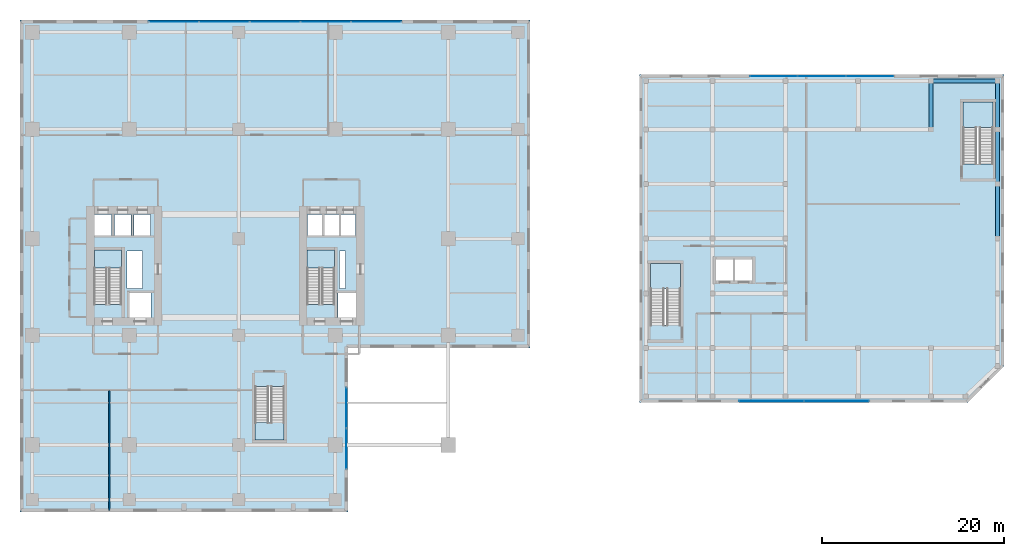
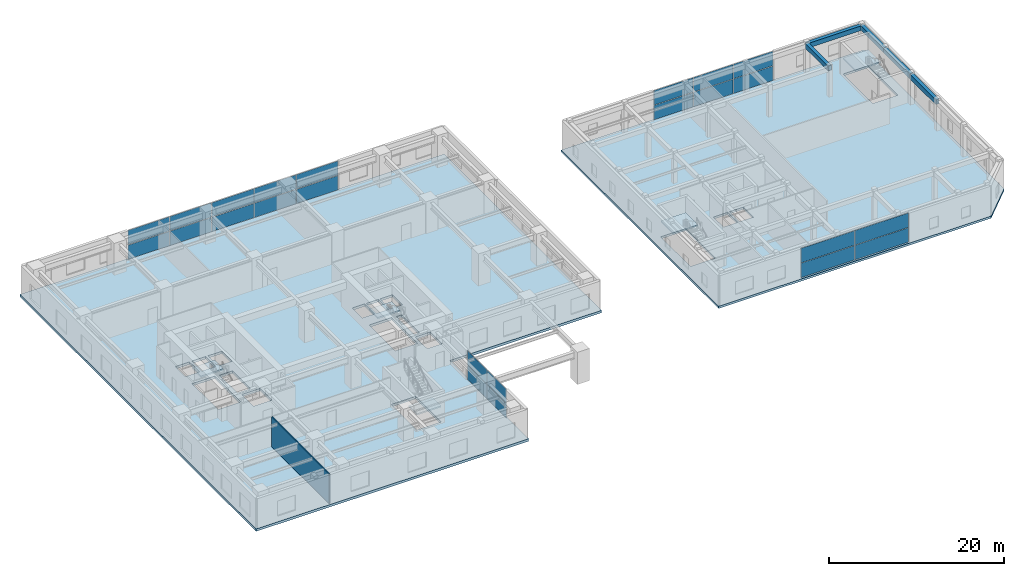
# One storey, part 18 of 26: 24 plates, 7 slabs, 5 beams, 1 wall, 9 elements without a shape of their own.
"""IFC4 building model written with IfcOpenShell, lengths in metres."""

from ifc_helpers import new_model, si_unit, direction, frame, frame_2d, origin, origin_2d, place, context, subcontext, project, spatial, polyline, rectangle, outline, extrude, source, transform, mapped, material, layer, layer_set, material_profile, profile_set, type_object, element, aggregate, save


model = new_model("IFC4")

# Units and contexts
model_context = context("Model", 3, precision=1e-05, world=origin(), true_north=direction((0.0, 1.0)))
body_context = subcontext(model_context, "Body", "Model", "MODEL_VIEW")
ifc_project = project(units=[si_unit("LENGTHUNIT", "METRE"), si_unit("AREAUNIT", "SQUARE_METRE"), si_unit("VOLUMEUNIT", "CUBIC_METRE"), si_unit("PLANEANGLEUNIT", "RADIAN"), si_unit("MASSUNIT", "GRAM", prefix="KILO")], contexts=[model_context])

# Site, building, storey
site_placement = place(None, origin())
site = spatial("IfcSite", under=ifc_project, at=site_placement, CompositionType="ELEMENT")
building_placement = place(site_placement, origin())
building = spatial("IfcBuilding", under=site, at=building_placement, Name="Khoralis Quay Care Tower", CompositionType="ELEMENT")
storey_placement = place(building_placement, frame((0.0, 0.0, 13.5)))
storey = spatial("IfcBuildingStorey", under=building, at=storey_placement, Name="L03", CompositionType="ELEMENT", Elevation=13.5)

# Beams
ifc_material_1 = material(Name="Concrete C40/50", Category="concrete")
ifc_material_profile = material_profile(ifc_material_1, rectangle(XDim=0.449951171875, YDim=0.64990234375, at=origin_2d()), Name="Concrete C40/50")
ifc_profile_set = profile_set([ifc_material_profile], Name="Concrete C40/50")
beam_type = type_object("IfcBeamType", Name="BM-RC450X650", PredefinedType="BEAM", material=ifc_profile_set)
shared_shape_1 = source(origin(), body_context, "Body", "SweptSolid", [
    extrude(rectangle(XDim=0.449951171875, YDim=0.64990234375, at=origin_2d()), origin(), (0.0, 0.0, 1.0), 7.300048828125),
])
beam_placement = place(storey_placement, frame((100.0, 41.300048828125, 3.875), z_axis=(1.0, 0.0, 0.0), x_axis=(0.0, 1.0, 0.0)))
element("IfcBeam", 1, at=beam_placement, inside=storey, type_object=beam_type, Name="BM-SCX-L03-23", PredefinedType="BEAM", context=body_context, shape_type="MappedRepresentation", body=[
    mapped(shared_shape_1, transform((0.0, 0.0, 0.0), scale=1.0)),
])
shared_shape_2 = source(origin(), body_context, "Body", "SweptSolid", [
    extrude(rectangle(XDim=0.449951171875, YDim=0.64990234375, at=origin_2d()), origin(), (0.0, 0.0, 1.0), 5.300048828125),
])
for number, where, z_axis, x_axis, name in (
    (2, (100.0, 36.0, 3.875), (0.0, 1.0, 0.0), (-1.0, 0.0, 0.0), "BM-SCY-L03-45"),
    (3, (107.300048828125, 36.0, 3.875), (0.0, 1.0, 0.0), (-1.0, 0.0, 0.0), "BM-SCY-L03-50"),
):
    element("IfcBeam", number, at=place(storey_placement, frame(where, z_axis=z_axis, x_axis=x_axis)), inside=storey, type_object=beam_type, Name=name, PredefinedType="BEAM", context=body_context, shape_type="MappedRepresentation", body=[
        mapped(shared_shape_2, transform((0.0, 0.0, 0.0), scale=1.0)),
    ])
shared_shape_3 = source(origin(), body_context, "Body", "SweptSolid", [
    extrude(rectangle(XDim=0.449951171875, YDim=0.64990234375, at=origin_2d()), origin(), (0.0, 0.0, 1.0), 6.0),
])
for number, where, z_axis, x_axis, name in (
    (4, (107.300048828125, 24.0, 3.875), (0.0, 1.0, 0.0), (-1.0, 0.0, 0.0), "BM-SCY-L03-48"),
    (5, (107.300048828125, 30.0, 3.875), (0.0, 1.0, 0.0), (-1.0, 0.0, 0.0), "BM-SCY-L03-49"),
):
    element("IfcBeam", number, at=place(storey_placement, frame(where, z_axis=z_axis, x_axis=x_axis)), inside=storey, type_object=beam_type, Name=name, PredefinedType="BEAM", context=body_context, shape_type="MappedRepresentation", body=[
        mapped(shared_shape_3, transform((0.0, 0.0, 0.0), scale=1.0)),
    ])

# Stair, slab
ifc_material_2 = material(Name="Precast concrete C45/55", Category="concrete")
stair_type_1 = type_object("IfcStairType", Name="ST-TWR-DOGLEG-1400", PredefinedType="HALF_TURN_STAIR", material=ifc_material_2)
stair_1_placement = place(storey_placement, origin())
stair_1 = element("IfcStair", 6, at=stair_1_placement, inside=storey, type_object=stair_type_1, Name="L03 West Core Exit Stair ST-T1", PredefinedType="HALF_TURN_STAIR")
ifc_layer_1 = layer(ifc_material_2, 0.199951171875)
ifc_layer_set_1 = layer_set([ifc_layer_1], Name="Precast concrete C45/55")
slab_type_1 = type_object("IfcSlabType", Name="SLB-LANDING-200", PredefinedType="LANDING", material=ifc_layer_set_1)
slab_1_placement = place(storey_placement, frame((0.0, 0.0, 2.050048828125)))
slab_1 = element("IfcSlab", 7, at=slab_1_placement, type_object=slab_type_1, Name="ST-T1 landing 1", PredefinedType="LANDING", context=body_context, shape_type="SweptSolid", body=[
    extrude(outline(polyline([(11.14990234375, 20.77001953125), (11.14990234375, 22.75), (8.14990234375, 22.75), (8.14990234375, 20.77001953125), (11.14990234375, 20.77001953125)])), origin(), (0.0, 0.0, 1.0), 0.199951171875),
])
aggregate(stair_1, [slab_1])

stair_2_placement = place(storey_placement, origin())
stair_2 = element("IfcStair", 8, at=stair_2_placement, inside=storey, type_object=stair_type_1, Name="L03 East Core Exit Stair ST-T2", PredefinedType="HALF_TURN_STAIR")
slab_2_placement = place(storey_placement, frame((0.0, 0.0, 2.050048828125)))
slab_2 = element("IfcSlab", 9, at=slab_2_placement, type_object=slab_type_1, Name="ST-T2 landing 1", PredefinedType="LANDING", context=body_context, shape_type="SweptSolid", body=[
    extrude(outline(polyline([(34.52001953125, 20.77001953125), (34.52001953125, 22.75), (31.52001953125, 22.75), (31.52001953125, 20.77001953125), (34.52001953125, 20.77001953125)])), origin(), (0.0, 0.0, 1.0), 0.199951171875),
])
aggregate(stair_2, [slab_2])

stair_type_2 = type_object("IfcStairType", Name="ST-POD-DOGLEG-1500", PredefinedType="HALF_TURN_STAIR", material=ifc_material_2)
stair_3_placement = place(storey_placement, origin())
stair_3 = element("IfcStair", 10, at=stair_3_placement, inside=storey, type_object=stair_type_2, Name="L03 Podium Clinical Stair ST-P1", PredefinedType="HALF_TURN_STAIR")
slab_3_placement = place(storey_placement, frame((0.0, 0.0, 2.050048828125)))
slab_3 = element("IfcSlab", 11, at=slab_3_placement, type_object=slab_type_1, Name="ST-P1 landing 1", PredefinedType="LANDING", context=body_context, shape_type="SweptSolid", body=[
    extrude(outline(polyline([(25.800048828125, 3.800048828125), (25.800048828125, 1.89990234375), (29.0, 1.89990234375), (29.0, 3.800048828125), (25.800048828125, 3.800048828125)])), origin(), (0.0, 0.0, 1.0), 0.199951171875),
])
aggregate(stair_3, [slab_3])

stair_type_3 = type_object("IfcStairType", Name="ST-SCH-DOGLEG-1550", PredefinedType="HALF_TURN_STAIR", material=ifc_material_2)
stair_4_placement = place(storey_placement, origin())
stair_4 = element("IfcStair", 12, at=stair_4_placement, inside=storey, type_object=stair_type_3, Name="L03 Companion School West Exit Stair ST-S1", PredefinedType="HALF_TURN_STAIR")
slab_4_placement = place(storey_placement, frame((0.0, 0.0, 2.050048828125)))
slab_4 = element("IfcSlab", 13, at=slab_4_placement, type_object=slab_type_1, Name="ST-S1 landing 1", PredefinedType="LANDING", context=body_context, shape_type="SweptSolid", body=[
    extrude(outline(polyline([(72.5, 18.47998046875), (72.5, 21.300048828125), (69.199951171875, 21.300048828125), (69.199951171875, 18.47998046875), (72.5, 18.47998046875)])), origin(), (0.0, 0.0, 1.0), 0.199951171875),
])
aggregate(stair_4, [slab_4])

stair_5_placement = place(storey_placement, origin())
stair_5 = element("IfcStair", 14, at=stair_5_placement, inside=storey, type_object=stair_type_3, Name="L03 Companion School East Exit Stair ST-S2", PredefinedType="HALF_TURN_STAIR")
slab_5_placement = place(storey_placement, frame((0.0, 0.0, 2.050048828125)))
slab_5 = element("IfcSlab", 15, at=slab_5_placement, type_object=slab_type_1, Name="ST-S2 landing 1", PredefinedType="LANDING", context=body_context, shape_type="SweptSolid", body=[
    extrude(outline(polyline([(106.800048828125, 36.179931640625), (106.800048828125, 39.0), (103.5, 39.0), (103.5, 36.179931640625), (106.800048828125, 36.179931640625)])), origin(), (0.0, 0.0, 1.0), 0.199951171875),
])
aggregate(stair_5, [slab_5])

# Slabs
ifc_layer_2 = layer(ifc_material_1, 0.340087890625)
ifc_layer_set_2 = layer_set([ifc_layer_2], Name="Concrete C40/50")
slab_type_2 = type_object("IfcSlabType", Name="SLB-POD-340", PredefinedType="FLOOR", material=ifc_layer_set_2)
slab_6_placement = place(storey_placement, frame((0.0, 0.0, -0.340087890625)))
element("IfcSlab", 16, at=slab_6_placement, inside=storey, type_object=slab_type_2, Name="Tower Floor Slab L03", PredefinedType="FLOOR", context=body_context, shape_type="SweptSolid", body=[
    extrude(outline(polyline([(0.0, -6.0), (36.0, -6.0), (36.0, 12.0), (56.0, 12.0), (56.0, 48.0), (0.0, 48.0), (0.0, -6.0)]), holes=[polyline([(11.14990234375, 16.800048828125), (11.14990234375, 22.75), (8.14990234375, 22.75), (8.14990234375, 16.800048828125), (11.14990234375, 16.800048828125)]), polyline([(34.52001953125, 16.800048828125), (34.52001953125, 22.75), (31.52001953125, 22.75), (31.52001953125, 16.800048828125), (34.52001953125, 16.800048828125)]), polyline([(25.800048828125, 7.77001953125), (25.800048828125, 1.89990234375), (29.0, 1.89990234375), (29.0, 7.77001953125), (25.800048828125, 7.77001953125)]), polyline([(12.0, 15.35009765625), (14.39990234375, 15.35009765625), (14.39990234375, 18.050048828125), (12.0, 18.050048828125), (12.0, 15.35009765625)]), polyline([(34.919921875, 15.35009765625), (36.8798828125, 15.35009765625), (36.8798828125, 18.050048828125), (34.919921875, 18.050048828125), (34.919921875, 15.35009765625)]), polyline([(8.199951171875, 24.35009765625), (10.050048828125, 24.35009765625), (10.050048828125, 26.64990234375), (8.199951171875, 26.64990234375), (8.199951171875, 24.35009765625)]), polyline([(31.550048828125, 24.35009765625), (33.199951171875, 24.35009765625), (33.199951171875, 26.64990234375), (31.550048828125, 26.64990234375), (31.550048828125, 24.35009765625)]), polyline([(10.35009765625, 24.35009765625), (12.199951171875, 24.35009765625), (12.199951171875, 26.64990234375), (10.35009765625, 26.64990234375), (10.35009765625, 24.35009765625)]), polyline([(33.3798828125, 24.35009765625), (35.030029296875, 24.35009765625), (35.030029296875, 26.64990234375), (33.3798828125, 26.64990234375), (33.3798828125, 24.35009765625)]), polyline([(12.5, 24.35009765625), (14.35009765625, 24.35009765625), (14.35009765625, 26.64990234375), (12.5, 26.64990234375), (12.5, 24.35009765625)]), polyline([(35.199951171875, 24.35009765625), (36.85009765625, 24.35009765625), (36.85009765625, 26.64990234375), (35.199951171875, 26.64990234375), (35.199951171875, 24.35009765625)]), polyline([(11.719970703125, 18.550048828125), (13.449951171875, 18.550048828125), (13.449951171875, 22.64990234375), (11.719970703125, 22.64990234375), (11.719970703125, 18.550048828125)]), polyline([(35.050048828125, 18.550048828125), (35.75, 18.550048828125), (35.75, 22.64990234375), (35.050048828125, 22.64990234375), (35.050048828125, 18.550048828125)])]), origin(), (0.0, 0.0, 1.0), 0.340087890625),
])
ifc_layer_3 = layer(ifc_material_1, 0.300048828125)
ifc_layer_set_3 = layer_set([ifc_layer_3], Name="Concrete C40/50")
slab_type_3 = type_object("IfcSlabType", Name="SLB-SCH-300", PredefinedType="FLOOR", material=ifc_layer_set_3)
slab_7_placement = place(storey_placement, frame((0.0, 0.0, -0.300048828125)))
element("IfcSlab", 17, at=slab_7_placement, inside=storey, type_object=slab_type_3, Name="Companion School Floor Slab L03", PredefinedType="FLOOR", context=body_context, shape_type="SweptSolid", body=[
    extrude(outline(polyline([(68.0, 6.0), (104.0, 6.0), (108.0, 10.0), (108.0, 42.0), (68.0, 42.0), (68.0, 6.0)]), holes=[polyline([(72.5, 14.510009765625), (72.5, 21.300048828125), (69.199951171875, 21.300048828125), (69.199951171875, 14.510009765625), (72.5, 14.510009765625)]), polyline([(106.800048828125, 32.2099609375), (106.800048828125, 39.0), (103.5, 39.0), (103.5, 32.2099609375), (106.800048828125, 32.2099609375)]), polyline([(76.39990234375, 19.39990234375), (78.25, 19.39990234375), (78.25, 21.699951171875), (76.39990234375, 21.699951171875), (76.39990234375, 19.39990234375)]), polyline([(78.5, 19.39990234375), (80.35009765625, 19.39990234375), (80.35009765625, 21.699951171875), (78.5, 21.699951171875), (78.5, 19.39990234375)])]), origin(), (0.0, 0.0, 1.0), 0.300048828125),
])

# Curtain wall, plates
ifc_material_3 = material(Name="Pale anodised aluminium", Category="aluminium")
ifc_layer_4 = layer(ifc_material_3, 0.179931640625)
ifc_layer_set_4 = layer_set([ifc_layer_4], Name="Pale anodised aluminium")
curtain_wall_type_1 = type_object("IfcCurtainWallType", Name="CW-SYS-Z1", PredefinedType="NOTDEFINED", material=ifc_layer_set_4)
curtain_wall_1_placement = place(storey_placement, origin())
curtain_wall_1 = element("IfcCurtainWall", 18, at=curtain_wall_1_placement, inside=storey, type_object=curtain_wall_type_1, Name="L03 Unitised Curtain Wall CW-POD-L03-E1", PredefinedType="NOTDEFINED")
ifc_material_4 = material(Name="Low-E solar-control double glazing", Category="glass")
ifc_layer_5 = layer(ifc_material_4, 0.031982421875)
ifc_layer_set_5 = layer_set([ifc_layer_5], Name="Low-E solar-control double glazing")
plate_type = type_object("IfcPlateType", Name="PNL-VIS-32", PredefinedType="CURTAIN_PANEL", material=ifc_layer_set_5)
shared_shape_4 = source(origin(), body_context, "Body", "SweptSolid", [
    extrude(rectangle(XDim=4.409912109375, YDim=0.028076171875, at=origin_2d()), origin(), (0.0, 0.0, 1.0), 1.989990234375),
])
plate_1_placement = place(storey_placement, frame((35.81005859375, 0.955078125, 0.06005859375), z_axis=(0.0, 0.0, 1.0), x_axis=(0.0, 1.0, 0.0)))
plate_1 = element("IfcPlate", 19, at=plate_1_placement, type_object=plate_type, Name="CW1 panel 1.1", PredefinedType="CURTAIN_PANEL", context=body_context, shape_type="MappedRepresentation", body=[
    mapped(shared_shape_4, transform((0.0, 0.0, 0.0), scale=1.0)),
])
plate_2_placement = place(storey_placement, frame((35.81005859375, 0.955078125, 2.10986328125), z_axis=(0.0, 0.0, 1.0), x_axis=(0.0, 1.0, 0.0)))
plate_2 = element("IfcPlate", 20, at=plate_2_placement, type_object=plate_type, Name="CW1 panel 1.2", PredefinedType="CURTAIN_PANEL", context=body_context, shape_type="MappedRepresentation", body=[
    mapped(shared_shape_4, transform((0.0, 0.0, 0.0), scale=1.0)),
])
plate_3_placement = place(storey_placement, frame((35.81005859375, 5.425048828125, 0.06005859375), z_axis=(0.0, 0.0, 1.0), x_axis=(0.0, 1.0, 0.0)))
plate_3 = element("IfcPlate", 21, at=plate_3_placement, type_object=plate_type, Name="CW1 panel 2.1", PredefinedType="CURTAIN_PANEL", context=body_context, shape_type="MappedRepresentation", body=[
    mapped(shared_shape_4, transform((0.0, 0.0, 0.0), scale=1.0)),
])
plate_4_placement = place(storey_placement, frame((35.81005859375, 5.425048828125, 2.10986328125), z_axis=(0.0, 0.0, 1.0), x_axis=(0.0, 1.0, 0.0)))
plate_4 = element("IfcPlate", 22, at=plate_4_placement, type_object=plate_type, Name="CW1 panel 2.2", PredefinedType="CURTAIN_PANEL", context=body_context, shape_type="MappedRepresentation", body=[
    mapped(shared_shape_4, transform((0.0, 0.0, 0.0), scale=1.0)),
])
aggregate(curtain_wall_1, [plate_1, plate_2, plate_3, plate_4])

curtain_wall_2_placement = place(storey_placement, origin())
curtain_wall_2 = element("IfcCurtainWall", 23, at=curtain_wall_2_placement, inside=storey, type_object=curtain_wall_type_1, Name="L03 Unitised Curtain Wall CW-POD-L03-E4", PredefinedType="NOTDEFINED")
shared_shape_5 = source(origin(), body_context, "Body", "SweptSolid", [
    extrude(rectangle(XDim=5.471923828125, YDim=0.028076171875, at=origin_2d()), origin(), (0.0, 0.0, 1.0), 1.989990234375),
])
plate_5_placement = place(storey_placement, frame((39.10888671875, 47.81005859375, 0.06005859375), z_axis=(0.0, 0.0, 1.0), x_axis=(-1.0, 0.0, 0.0)))
plate_5 = element("IfcPlate", 24, at=plate_5_placement, type_object=plate_type, Name="CW1 panel 1.1", PredefinedType="CURTAIN_PANEL", context=body_context, shape_type="MappedRepresentation", body=[
    mapped(shared_shape_5, transform((0.0, 0.0, 0.0), scale=1.0)),
])
plate_6_placement = place(storey_placement, frame((39.10888671875, 47.81005859375, 2.10986328125), z_axis=(0.0, 0.0, 1.0), x_axis=(-1.0, 0.0, 0.0)))
plate_6 = element("IfcPlate", 25, at=plate_6_placement, type_object=plate_type, Name="CW1 panel 1.2", PredefinedType="CURTAIN_PANEL", context=body_context, shape_type="MappedRepresentation", body=[
    mapped(shared_shape_5, transform((0.0, 0.0, 0.0), scale=1.0)),
])
plate_7_placement = place(storey_placement, frame((16.89111328125, 47.81005859375, 0.06005859375), z_axis=(0.0, 0.0, 1.0), x_axis=(-1.0, 0.0, 0.0)))
plate_7 = element("IfcPlate", 26, at=plate_7_placement, type_object=plate_type, Name="CW1 panel 5.1", PredefinedType="CURTAIN_PANEL", context=body_context, shape_type="MappedRepresentation", body=[
    mapped(shared_shape_5, transform((0.0, 0.0, 0.0), scale=1.0)),
])
plate_8_placement = place(storey_placement, frame((16.89111328125, 47.81005859375, 2.10986328125), z_axis=(0.0, 0.0, 1.0), x_axis=(-1.0, 0.0, 0.0)))
plate_8 = element("IfcPlate", 27, at=plate_8_placement, type_object=plate_type, Name="CW1 panel 5.2", PredefinedType="CURTAIN_PANEL", context=body_context, shape_type="MappedRepresentation", body=[
    mapped(shared_shape_5, transform((0.0, 0.0, 0.0), scale=1.0)),
])
shared_shape_6 = source(origin(), body_context, "Body", "SweptSolid", [
    extrude(rectangle(XDim=5.501953125, YDim=0.028076171875, at=origin_2d()), origin(), (0.0, 0.0, 1.0), 1.989990234375),
])
plate_9_placement = place(storey_placement, frame((33.56201171875, 47.81005859375, 0.06005859375), z_axis=(0.0, 0.0, 1.0), x_axis=(-1.0, 0.0, 0.0)))
plate_9 = element("IfcPlate", 28, at=plate_9_placement, type_object=plate_type, Name="CW1 panel 2.1", PredefinedType="CURTAIN_PANEL", context=body_context, shape_type="MappedRepresentation", body=[
    mapped(shared_shape_6, transform((0.0, 0.0, 0.0), scale=1.0)),
])
plate_10_placement = place(storey_placement, frame((33.56201171875, 47.81005859375, 2.10986328125), z_axis=(0.0, 0.0, 1.0), x_axis=(-1.0, 0.0, 0.0)))
plate_10 = element("IfcPlate", 29, at=plate_10_placement, type_object=plate_type, Name="CW1 panel 2.2", PredefinedType="CURTAIN_PANEL", context=body_context, shape_type="MappedRepresentation", body=[
    mapped(shared_shape_6, transform((0.0, 0.0, 0.0), scale=1.0)),
])
plate_11_placement = place(storey_placement, frame((28.0, 47.81005859375, 0.06005859375), z_axis=(0.0, 0.0, 1.0), x_axis=(-1.0, 0.0, 0.0)))
plate_11 = element("IfcPlate", 30, at=plate_11_placement, type_object=plate_type, Name="CW1 panel 3.1", PredefinedType="CURTAIN_PANEL", context=body_context, shape_type="MappedRepresentation", body=[
    mapped(shared_shape_6, transform((0.0, 0.0, 0.0), scale=1.0)),
])
plate_12_placement = place(storey_placement, frame((28.0, 47.81005859375, 2.10986328125), z_axis=(0.0, 0.0, 1.0), x_axis=(-1.0, 0.0, 0.0)))
plate_12 = element("IfcPlate", 31, at=plate_12_placement, type_object=plate_type, Name="CW1 panel 3.2", PredefinedType="CURTAIN_PANEL", context=body_context, shape_type="MappedRepresentation", body=[
    mapped(shared_shape_6, transform((0.0, 0.0, 0.0), scale=1.0)),
])
plate_13_placement = place(storey_placement, frame((22.43798828125, 47.81005859375, 0.06005859375), z_axis=(0.0, 0.0, 1.0), x_axis=(-1.0, 0.0, 0.0)))
plate_13 = element("IfcPlate", 32, at=plate_13_placement, type_object=plate_type, Name="CW1 panel 4.1", PredefinedType="CURTAIN_PANEL", context=body_context, shape_type="MappedRepresentation", body=[
    mapped(shared_shape_6, transform((0.0, 0.0, 0.0), scale=1.0)),
])
plate_14_placement = place(storey_placement, frame((22.43798828125, 47.81005859375, 2.10986328125), z_axis=(0.0, 0.0, 1.0), x_axis=(-1.0, 0.0, 0.0)))
plate_14 = element("IfcPlate", 33, at=plate_14_placement, type_object=plate_type, Name="CW1 panel 4.2", PredefinedType="CURTAIN_PANEL", context=body_context, shape_type="MappedRepresentation", body=[
    mapped(shared_shape_6, transform((0.0, 0.0, 0.0), scale=1.0)),
])
aggregate(curtain_wall_2, [plate_5, plate_6, plate_9, plate_10, plate_11, plate_12, plate_13, plate_14, plate_7, plate_8])

ifc_layer_6 = layer(ifc_material_3, 0.14990234375)
ifc_layer_set_6 = layer_set([ifc_layer_6], Name="Pale anodised aluminium")
curtain_wall_type_2 = type_object("IfcCurtainWallType", Name="CW-SYS-SCHOOL", PredefinedType="NOTDEFINED", material=ifc_layer_set_6)
curtain_wall_3_placement = place(storey_placement, origin())
curtain_wall_3 = element("IfcCurtainWall", 34, at=curtain_wall_3_placement, inside=storey, type_object=curtain_wall_type_2, Name="L03 Unitised Curtain Wall CW-SCH-L03-E0", PredefinedType="NOTDEFINED")
shared_shape_7 = source(origin(), body_context, "Body", "SweptSolid", [
    extrude(rectangle(XDim=7.06201171875, YDim=0.028076171875, at=origin_2d()), origin(), (0.0, 0.0, 1.0), 2.010009765625),
])
plate_15_placement = place(storey_placement, frame((82.489013671875, 6.169921875, 0.06005859375), z_axis=(0.0, 0.0, 1.0), x_axis=(1.0, 0.0, 0.0)))
plate_15 = element("IfcPlate", 35, at=plate_15_placement, type_object=plate_type, Name="CW6 panel 1.1", PredefinedType="CURTAIN_PANEL", context=body_context, shape_type="MappedRepresentation", body=[
    mapped(shared_shape_7, transform((0.0, 0.0, 0.0), scale=1.0)),
])
plate_16_placement = place(storey_placement, frame((82.489013671875, 6.169921875, 2.1298828125), z_axis=(0.0, 0.0, 1.0), x_axis=(1.0, 0.0, 0.0)))
plate_16 = element("IfcPlate", 36, at=plate_16_placement, type_object=plate_type, Name="CW6 panel 1.2", PredefinedType="CURTAIN_PANEL", context=body_context, shape_type="MappedRepresentation", body=[
    mapped(shared_shape_7, transform((0.0, 0.0, 0.0), scale=1.0)),
])
plate_17_placement = place(storey_placement, frame((89.611083984375, 6.169921875, 0.06005859375), z_axis=(0.0, 0.0, 1.0), x_axis=(1.0, 0.0, 0.0)))
plate_17 = element("IfcPlate", 37, at=plate_17_placement, type_object=plate_type, Name="CW6 panel 2.1", PredefinedType="CURTAIN_PANEL", context=body_context, shape_type="MappedRepresentation", body=[
    mapped(shared_shape_7, transform((0.0, 0.0, 0.0), scale=1.0)),
])
plate_18_placement = place(storey_placement, frame((89.611083984375, 6.169921875, 2.1298828125), z_axis=(0.0, 0.0, 1.0), x_axis=(1.0, 0.0, 0.0)))
plate_18 = element("IfcPlate", 38, at=plate_18_placement, type_object=plate_type, Name="CW6 panel 2.2", PredefinedType="CURTAIN_PANEL", context=body_context, shape_type="MappedRepresentation", body=[
    mapped(shared_shape_7, transform((0.0, 0.0, 0.0), scale=1.0)),
])
aggregate(curtain_wall_3, [plate_15, plate_16, plate_17, plate_18])

curtain_wall_4_placement = place(storey_placement, origin())
curtain_wall_4 = element("IfcCurtainWall", 39, at=curtain_wall_4_placement, inside=storey, type_object=curtain_wall_type_2, Name="L03 Unitised Curtain Wall CW-SCH-L03-E3", PredefinedType="NOTDEFINED")
shared_shape_8 = source(origin(), body_context, "Body", "SweptSolid", [
    extrude(rectangle(XDim=5.197998046875, YDim=0.028076171875, at=origin_2d()), origin(), (0.0, 0.0, 1.0), 2.010009765625),
])
plate_19_placement = place(storey_placement, frame((93.27294921875, 41.830078125, 0.06005859375), z_axis=(0.0, 0.0, 1.0), x_axis=(-1.0, 0.0, 0.0)))
plate_19 = element("IfcPlate", 40, at=plate_19_placement, type_object=plate_type, Name="CW6 panel 1.1", PredefinedType="CURTAIN_PANEL", context=body_context, shape_type="MappedRepresentation", body=[
    mapped(shared_shape_8, transform((0.0, 0.0, 0.0), scale=1.0)),
])
plate_20_placement = place(storey_placement, frame((93.27294921875, 41.830078125, 2.1298828125), z_axis=(0.0, 0.0, 1.0), x_axis=(-1.0, 0.0, 0.0)))
plate_20 = element("IfcPlate", 41, at=plate_20_placement, type_object=plate_type, Name="CW6 panel 1.2", PredefinedType="CURTAIN_PANEL", context=body_context, shape_type="MappedRepresentation", body=[
    mapped(shared_shape_8, transform((0.0, 0.0, 0.0), scale=1.0)),
])
plate_21_placement = place(storey_placement, frame((82.72705078125, 41.830078125, 0.06005859375), z_axis=(0.0, 0.0, 1.0), x_axis=(-1.0, 0.0, 0.0)))
plate_21 = element("IfcPlate", 42, at=plate_21_placement, type_object=plate_type, Name="CW6 panel 3.1", PredefinedType="CURTAIN_PANEL", context=body_context, shape_type="MappedRepresentation", body=[
    mapped(shared_shape_8, transform((0.0, 0.0, 0.0), scale=1.0)),
])
plate_22_placement = place(storey_placement, frame((82.72705078125, 41.830078125, 2.1298828125), z_axis=(0.0, 0.0, 1.0), x_axis=(-1.0, 0.0, 0.0)))
plate_22 = element("IfcPlate", 43, at=plate_22_placement, type_object=plate_type, Name="CW6 panel 3.2", PredefinedType="CURTAIN_PANEL", context=body_context, shape_type="MappedRepresentation", body=[
    mapped(shared_shape_8, transform((0.0, 0.0, 0.0), scale=1.0)),
])
shared_shape_9 = source(origin(), body_context, "Body", "SweptSolid", [
    extrude(rectangle(XDim=5.22802734375, YDim=0.028076171875, at=origin_2d()), origin(), (0.0, 0.0, 1.0), 2.010009765625),
])
plate_23_placement = place(storey_placement, frame((88.0, 41.830078125, 0.06005859375), z_axis=(0.0, 0.0, 1.0), x_axis=(-1.0, 0.0, 0.0)))
plate_23 = element("IfcPlate", 44, at=plate_23_placement, type_object=plate_type, Name="CW6 panel 2.1", PredefinedType="CURTAIN_PANEL", context=body_context, shape_type="MappedRepresentation", body=[
    mapped(shared_shape_9, transform((0.0, 0.0, 0.0), scale=1.0)),
])
plate_24_placement = place(storey_placement, frame((88.0, 41.830078125, 2.1298828125), z_axis=(0.0, 0.0, 1.0), x_axis=(-1.0, 0.0, 0.0)))
plate_24 = element("IfcPlate", 45, at=plate_24_placement, type_object=plate_type, Name="CW6 panel 2.2", PredefinedType="CURTAIN_PANEL", context=body_context, shape_type="MappedRepresentation", body=[
    mapped(shared_shape_9, transform((0.0, 0.0, 0.0), scale=1.0)),
])
aggregate(curtain_wall_4, [plate_19, plate_20, plate_23, plate_24, plate_21, plate_22])

# Wall
ifc_material_5 = material(Name="Gypsum plasterboard on acoustic metal stud")
ifc_layer_7 = layer(ifc_material_5, 0.139892578125)
ifc_layer_set_7 = layer_set([ifc_layer_7], Name="Gypsum plasterboard on acoustic metal stud")
wall_type = type_object("IfcWallType", Name="WL-UNIT-140", PredefinedType="PARTITIONING", material=ifc_layer_set_7)
wall_placement = place(storey_placement, frame((9.800048828125, -5.81494140625, 0.0), z_axis=(0.0, 0.0, 1.0), x_axis=(0.0, 1.0, 0.0)))
element("IfcWall", 46, at=wall_placement, inside=storey, type_object=wall_type, Name="L03 Podium South Split", PredefinedType="PARTITIONING", context=body_context, shape_type="SweptSolid", body=[
    extrude(rectangle(XDim=13.137451171875, YDim=0.139892578125, at=frame_2d((6.56884765625, 0.0))), origin(), (0.0, 0.0, 1.0), 4.159912109375),
])

save(model, "model.ifc")
